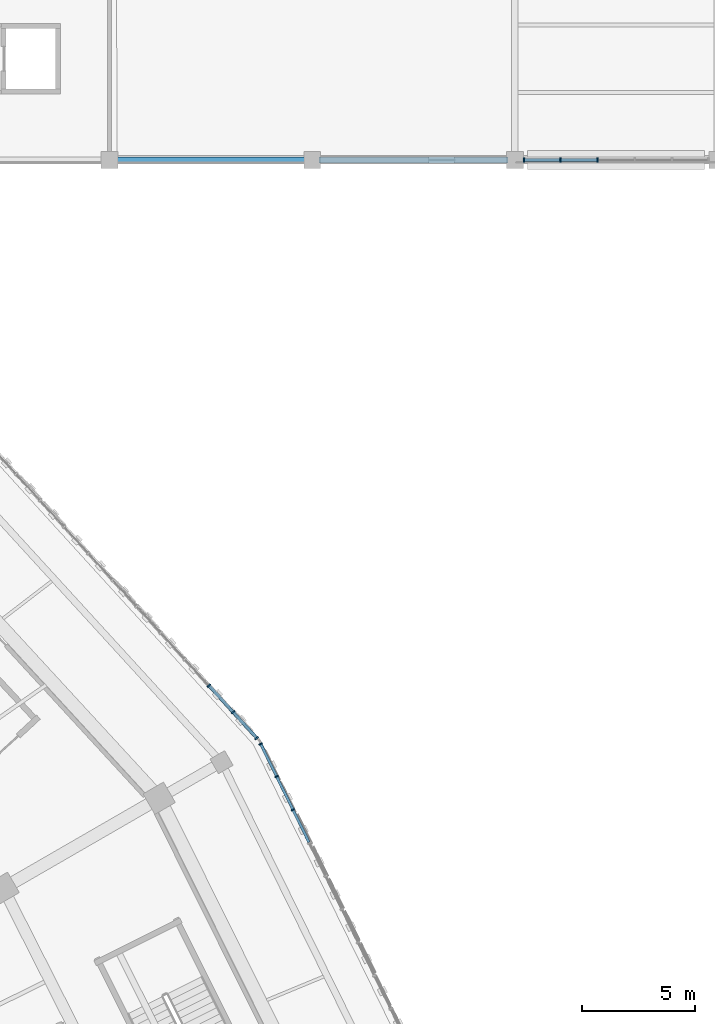
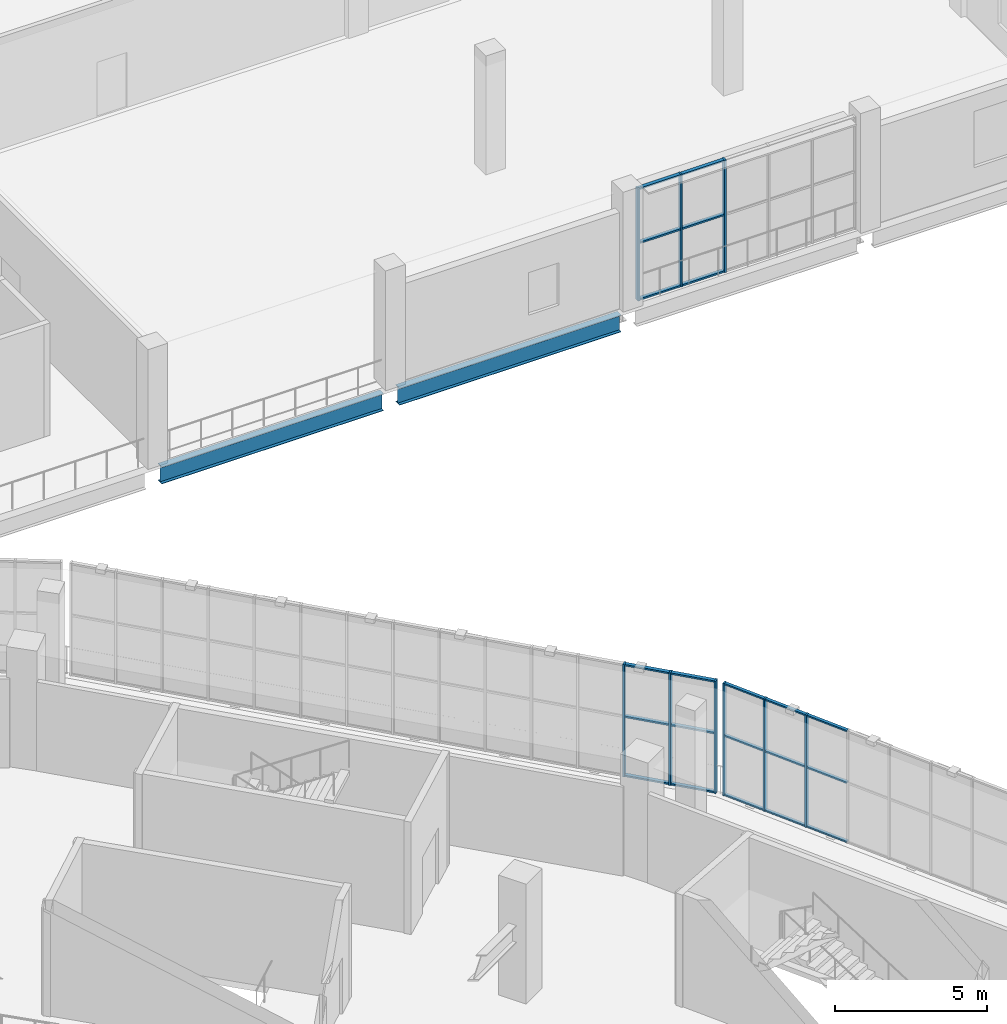
# One storey, part 71 of 179: 30 members, 2 beams, 3 elements without a shape of their own.
"""IFC4 building model written with IfcOpenShell, lengths in metres."""

from ifc_helpers import new_model, si_unit, direction, frame, origin, origin_2d, place, context, subcontext, project, spatial, rectangle, i_section, extrude, material, material_profile, profile_set, type_object, element, aggregate, save


model = new_model("IFC4")

# Units and contexts
model_context = context("Model", 3, precision=1e-05, world=origin(), true_north=direction((0.0, 1.0)))
body_context = subcontext(model_context, "Body", "Model", "MODEL_VIEW")
ifc_project = project(units=[si_unit("LENGTHUNIT", "METRE"), si_unit("AREAUNIT", "SQUARE_METRE"), si_unit("VOLUMEUNIT", "CUBIC_METRE"), si_unit("PLANEANGLEUNIT", "RADIAN"), si_unit("MASSUNIT", "GRAM", prefix="KILO")], contexts=[model_context])

# Site, building, storey
site_placement = place(None, origin())
site = spatial("IfcSite", under=ifc_project, at=site_placement, CompositionType="ELEMENT")
building_placement = place(site_placement, origin())
building = spatial("IfcBuilding", under=site, at=building_placement, Name="Zevraka Park Crest Stadium", CompositionType="ELEMENT")
storey_placement = place(building_placement, frame((0.0, 0.0, 10.199951171875)))
storey = spatial("IfcBuildingStorey", under=building, at=storey_placement, Name="L02", CompositionType="ELEMENT", Elevation=10.199951171875)

# Beams
ifc_material_1 = material(Name="Steel S355", Category="steel")
ifc_material_profile_1 = material_profile(ifc_material_1, i_section(OverallWidth=0.253662109375, OverallDepth=0.68359375, WebThickness=0.012451171875, FlangeThickness=0.01904296875, at=origin_2d()), Name="UKB 686x254x140")
ifc_profile_set_1 = profile_set([ifc_material_profile_1], Name="Steel S355")
beam_type = type_object("IfcBeamType", Name="BG05", PredefinedType="BEAM", material=ifc_profile_set_1)
for number, where, z_axis, x_axis, name in (
    (1, (188.300048828125, 158.0, -0.629638671875), (1.0, 0.0, 0.0), (0.0, 1.0, 0.0), "Wing Girder BG05 L02-2122/T"),
    (2, (197.300048828125, 158.0, -0.629638671875), (1.0, 0.0, 0.0), (0.0, 1.0, 0.0), "Wing Girder BG05 L02-2223/T"),
):
    element("IfcBeam", number, at=place(storey_placement, frame(where, z_axis=z_axis, x_axis=x_axis)), inside=storey, type_object=beam_type, Name=name, PredefinedType="BEAM", context=body_context, shape_type="SweptSolid", body=[
        extrude(i_section(OverallWidth=0.253662109375, OverallDepth=0.68359375, WebThickness=0.012451171875, FlangeThickness=0.01904296875, at=origin_2d()), origin(), (0.0, 0.0, 1.0), 8.39990234375),
    ])

# Curtain wall, members
ifc_material_2 = material(Name="Anodised architectural aluminium and laminated safety glass", Category="aluminium")
curtain_wall_type_1 = type_object("IfcCurtainWallType", Name="CW07", PredefinedType="NOTDEFINED", material=ifc_material_2)
curtain_wall_1_placement = place(storey_placement, origin())
curtain_wall_1 = element("IfcCurtainWall", 3, at=curtain_wall_1_placement, inside=storey, type_object=curtain_wall_type_1, Name="Unitised Ring Curtain Wall CW07 L02-01", PredefinedType="NOTDEFINED")
ifc_material_3 = material(Name="Anodised architectural aluminium", Category="aluminium")
ifc_material_profile_2 = material_profile(ifc_material_3, rectangle(XDim=0.159912109375, YDim=0.06005859375, at=origin_2d()), Name="ALU MULLION 160x60")
ifc_profile_set_2 = profile_set([ifc_material_profile_2], Name="Anodised architectural aluminium")
member_type_1 = type_object("IfcMemberType", Name="CM01", PredefinedType="MULLION", material=ifc_profile_set_2)
member_1_placement = place(storey_placement, frame((196.143798828125, 129.140625, 0.0), z_axis=(0.0, 0.0, 1.0), x_axis=(-0.897496768201, -0.441021032455, 0.0)))
member_1 = element("IfcMember", 4, at=member_1_placement, type_object=member_type_1, Name="CW07 mullion 12", PredefinedType="MULLION", context=body_context, shape_type="SweptSolid", body=[
    extrude(rectangle(XDim=0.159912109375, YDim=0.06005859375, at=origin_2d()), origin(), (0.0, 0.0, 1.0), 4.5),
])
member_2_placement = place(storey_placement, frame((195.41943359375, 130.61474609375, 0.0), z_axis=(0.0, 0.0, 1.0), x_axis=(-0.897496768201, -0.441021032455, 0.0)))
member_2 = element("IfcMember", 5, at=member_2_placement, type_object=member_type_1, Name="CW07 mullion 13", PredefinedType="MULLION", context=body_context, shape_type="SweptSolid", body=[
    extrude(rectangle(XDim=0.159912109375, YDim=0.06005859375, at=origin_2d()), origin(), (0.0, 0.0, 1.0), 4.5),
])
member_3_placement = place(storey_placement, frame((194.708251953125, 132.06201171875, 0.0), z_axis=(0.0, 0.0, 1.0), x_axis=(-0.897496768201, -0.441021032455, 0.0)))
member_3 = element("IfcMember", 6, at=member_3_placement, type_object=member_type_1, Name="CW07 mullion 14", PredefinedType="MULLION", context=body_context, shape_type="SweptSolid", body=[
    extrude(rectangle(XDim=0.159912109375, YDim=0.06005859375, at=origin_2d()), origin(), (0.0, 0.0, 1.0), 4.5),
])

ifc_material_4 = material(Name="Anodised architectural aluminium and laminated safety glass", Category="aluminium")
curtain_wall_type_2 = type_object("IfcCurtainWallType", Name="CW08", PredefinedType="NOTDEFINED", material=ifc_material_4)
curtain_wall_2_placement = place(storey_placement, origin())
curtain_wall_2 = element("IfcCurtainWall", 7, at=curtain_wall_2_placement, inside=storey, type_object=curtain_wall_type_2, Name="Unitised Ring Curtain Wall CW08 L02-02", PredefinedType="NOTDEFINED")
ifc_material_5 = material(Name="Anodised architectural aluminium", Category="aluminium")
ifc_material_profile_3 = material_profile(ifc_material_5, rectangle(XDim=0.179931640625, YDim=0.06494140625, at=origin_2d()), Name="ALU MULLION 180x65")
ifc_profile_set_3 = profile_set([ifc_material_profile_3], Name="Anodised architectural aluminium")
member_type_2 = type_object("IfcMemberType", Name="CM02", PredefinedType="MULLION", material=ifc_profile_set_3)
member_4_placement = place(storey_placement, frame((194.530029296875, 132.323974609375, 0.0), z_axis=(0.0, 0.0, 1.0), x_axis=(-0.739496877097, -0.673159987494, 0.0)))
member_4 = element("IfcMember", 8, at=member_4_placement, type_object=member_type_2, Name="CW08 mullion 1", PredefinedType="MULLION", context=body_context, shape_type="SweptSolid", body=[
    extrude(rectangle(XDim=0.179931640625, YDim=0.06494140625, at=origin_2d()), origin(), (0.0, 0.0, 1.0), 4.5),
])
member_5_placement = place(storey_placement, frame((193.4814453125, 133.47607421875, 0.0), z_axis=(0.0, 0.0, 1.0), x_axis=(-0.739496877097, -0.673159987494, 0.0)))
member_5 = element("IfcMember", 9, at=member_5_placement, type_object=member_type_2, Name="CW08 mullion 2", PredefinedType="MULLION", context=body_context, shape_type="SweptSolid", body=[
    extrude(rectangle(XDim=0.179931640625, YDim=0.06494140625, at=origin_2d()), origin(), (0.0, 0.0, 1.0), 4.5),
])
member_6_placement = place(storey_placement, frame((192.410888671875, 134.652099609375, 0.0), z_axis=(0.0, 0.0, 1.0), x_axis=(-0.739496877097, -0.673159987494, 0.0)))
member_6 = element("IfcMember", 10, at=member_6_placement, type_object=member_type_2, Name="CW08 mullion 3", PredefinedType="MULLION", context=body_context, shape_type="SweptSolid", body=[
    extrude(rectangle(XDim=0.179931640625, YDim=0.06494140625, at=origin_2d()), origin(), (0.0, 0.0, 1.0), 4.5),
])

ifc_material_6 = material(Name="Anodised architectural aluminium and laminated safety glass", Category="aluminium")
curtain_wall_type_3 = type_object("IfcCurtainWallType", Name="CW29", PredefinedType="NOTDEFINED", material=ifc_material_6)
curtain_wall_3_placement = place(storey_placement, origin())
curtain_wall_3 = element("IfcCurtainWall", 11, at=curtain_wall_3_placement, inside=storey, type_object=curtain_wall_type_3, Name="Wing Curtain Wall CW29 L02-NGATE-S-2", PredefinedType="NOTDEFINED")
member_7_placement = place(storey_placement, frame((209.673095703125, 158.0, 0.0), z_axis=(0.0, 0.0, 1.0), x_axis=(0.0, -1.0, 0.0)))
member_7 = element("IfcMember", 12, at=member_7_placement, type_object=member_type_2, Name="CW29 mullion 4", PredefinedType="MULLION", context=body_context, shape_type="SweptSolid", body=[
    extrude(rectangle(XDim=0.179931640625, YDim=0.06494140625, at=origin_2d()), origin(), (0.0, 0.0, 1.0), 4.5),
])
member_8_placement = place(storey_placement, frame((208.01904296875, 158.0, 0.0), z_axis=(0.0, 0.0, 1.0), x_axis=(0.0, -1.0, 0.0)))
member_8 = element("IfcMember", 13, at=member_8_placement, type_object=member_type_2, Name="CW29 mullion 5", PredefinedType="MULLION", context=body_context, shape_type="SweptSolid", body=[
    extrude(rectangle(XDim=0.179931640625, YDim=0.06494140625, at=origin_2d()), origin(), (0.0, 0.0, 1.0), 4.5),
])
member_9_placement = place(storey_placement, frame((206.3974609375, 158.0, 0.0), z_axis=(0.0, 0.0, 1.0), x_axis=(0.0, -1.0, 0.0)))
member_9 = element("IfcMember", 14, at=member_9_placement, type_object=member_type_2, Name="CW29 mullion 6", PredefinedType="MULLION", context=body_context, shape_type="SweptSolid", body=[
    extrude(rectangle(XDim=0.179931640625, YDim=0.06494140625, at=origin_2d()), origin(), (0.0, 0.0, 1.0), 4.5),
])

# Member
ifc_material_7 = material(Name="Anodised architectural aluminium", Category="aluminium")
ifc_material_profile_4 = material_profile(ifc_material_7, rectangle(XDim=0.1201171875, YDim=0.06005859375, at=origin_2d()), Name="ALU TRANSOM 120x60")
ifc_profile_set_4 = profile_set([ifc_material_profile_4], Name="Anodised architectural aluminium")
member_type_3 = type_object("IfcMemberType", Name="CT01", PredefinedType="USERDEFINED", material=ifc_profile_set_4)
member_10_placement = place(storey_placement, frame((196.85498046875, 127.693359375, 0.030029296875), z_axis=(-0.441032508924, 0.897491128687, 0.0), x_axis=(-0.897491128687, -0.441032508924, 0.0)))
member_10 = element("IfcMember", 15, at=member_10_placement, type_object=member_type_3, Name="CW07 transom 11.1", ObjectType="TRANSOM", PredefinedType="USERDEFINED", context=body_context, shape_type="SweptSolid", body=[
    extrude(rectangle(XDim=0.1201171875, YDim=0.06005859375, at=origin_2d()), origin(), (0.0, 0.0, 1.0), 1.582763671875),
])

member_11_placement = place(storey_placement, frame((196.85498046875, 127.693359375, 2.400146484375), z_axis=(-0.441032508924, 0.897491128687, 0.0), x_axis=(-0.897491128687, -0.441032508924, 0.0)))
member_11 = element("IfcMember", 16, at=member_11_placement, type_object=member_type_3, Name="CW07 transom 11.2", ObjectType="TRANSOM", PredefinedType="USERDEFINED", context=body_context, shape_type="SweptSolid", body=[
    extrude(rectangle(XDim=0.1201171875, YDim=0.06005859375, at=origin_2d()), origin(), (0.0, 0.0, 1.0), 1.582763671875),
])

member_12_placement = place(storey_placement, frame((196.85498046875, 127.693359375, 4.469970703125), z_axis=(-0.441032508924, 0.897491128687, 0.0), x_axis=(-0.897491128687, -0.441032508924, 0.0)))
member_12 = element("IfcMember", 17, at=member_12_placement, type_object=member_type_3, Name="CW07 transom 11.3", ObjectType="TRANSOM", PredefinedType="USERDEFINED", context=body_context, shape_type="SweptSolid", body=[
    extrude(rectangle(XDim=0.1201171875, YDim=0.06005859375, at=origin_2d()), origin(), (0.0, 0.0, 1.0), 1.582763671875),
])

member_13_placement = place(storey_placement, frame((196.130615234375, 129.167724609375, 0.030029296875), z_axis=(-0.441093576416, 0.897461117177, 0.0), x_axis=(-0.897461117177, -0.441093576416, 0.0)))
member_13 = element("IfcMember", 18, at=member_13_placement, type_object=member_type_3, Name="CW07 transom 12.1", ObjectType="TRANSOM", PredefinedType="USERDEFINED", context=body_context, shape_type="SweptSolid", body=[
    extrude(rectangle(XDim=0.1201171875, YDim=0.06005859375, at=origin_2d()), origin(), (0.0, 0.0, 1.0), 1.58251953125),
])

member_14_placement = place(storey_placement, frame((196.130615234375, 129.167724609375, 2.400146484375), z_axis=(-0.441093576416, 0.897461117177, 0.0), x_axis=(-0.897461117177, -0.441093576416, 0.0)))
member_14 = element("IfcMember", 19, at=member_14_placement, type_object=member_type_3, Name="CW07 transom 12.2", ObjectType="TRANSOM", PredefinedType="USERDEFINED", context=body_context, shape_type="SweptSolid", body=[
    extrude(rectangle(XDim=0.1201171875, YDim=0.06005859375, at=origin_2d()), origin(), (0.0, 0.0, 1.0), 1.58251953125),
])

member_15_placement = place(storey_placement, frame((196.130615234375, 129.167724609375, 4.469970703125), z_axis=(-0.441093576416, 0.897461117177, 0.0), x_axis=(-0.897461117177, -0.441093576416, 0.0)))
member_15 = element("IfcMember", 20, at=member_15_placement, type_object=member_type_3, Name="CW07 transom 12.3", ObjectType="TRANSOM", PredefinedType="USERDEFINED", context=body_context, shape_type="SweptSolid", body=[
    extrude(rectangle(XDim=0.1201171875, YDim=0.06005859375, at=origin_2d()), origin(), (0.0, 0.0, 1.0), 1.58251953125),
])

member_16_placement = place(storey_placement, frame((195.40625, 130.641845703125, 0.030029296875), z_axis=(-0.441101676323, 0.897457136105, 0.0), x_axis=(-0.897457136105, -0.441101676323, 0.0)))
member_16 = element("IfcMember", 21, at=member_16_placement, type_object=member_type_3, Name="CW07 transom 13.1", ObjectType="TRANSOM", PredefinedType="USERDEFINED", context=body_context, shape_type="SweptSolid", body=[
    extrude(rectangle(XDim=0.1201171875, YDim=0.06005859375, at=origin_2d()), origin(), (0.0, 0.0, 1.0), 1.552490234375),
])

member_17_placement = place(storey_placement, frame((195.40625, 130.641845703125, 2.400146484375), z_axis=(-0.441101676323, 0.897457136105, 0.0), x_axis=(-0.897457136105, -0.441101676323, 0.0)))
member_17 = element("IfcMember", 22, at=member_17_placement, type_object=member_type_3, Name="CW07 transom 13.2", ObjectType="TRANSOM", PredefinedType="USERDEFINED", context=body_context, shape_type="SweptSolid", body=[
    extrude(rectangle(XDim=0.1201171875, YDim=0.06005859375, at=origin_2d()), origin(), (0.0, 0.0, 1.0), 1.552490234375),
])

member_18_placement = place(storey_placement, frame((195.40625, 130.641845703125, 4.469970703125), z_axis=(-0.441101676323, 0.897457136105, 0.0), x_axis=(-0.897457136105, -0.441101676323, 0.0)))
member_18 = element("IfcMember", 23, at=member_18_placement, type_object=member_type_3, Name="CW07 transom 13.3", ObjectType="TRANSOM", PredefinedType="USERDEFINED", context=body_context, shape_type="SweptSolid", body=[
    extrude(rectangle(XDim=0.1201171875, YDim=0.06005859375, at=origin_2d()), origin(), (0.0, 0.0, 1.0), 1.552490234375),
])

aggregate(curtain_wall_1, [member_1, member_2, member_3, member_10, member_11, member_12, member_13, member_14, member_15, member_16, member_17, member_18])

ifc_material_8 = material(Name="Anodised architectural aluminium", Category="aluminium")
ifc_material_profile_5 = material_profile(ifc_material_8, rectangle(XDim=0.139892578125, YDim=0.06494140625, at=origin_2d()), Name="ALU TRANSOM 140x65")
ifc_profile_set_5 = profile_set([ifc_material_profile_5], Name="Anodised architectural aluminium")
member_type_4 = type_object("IfcMemberType", Name="CT02", PredefinedType="USERDEFINED", material=ifc_profile_set_5)
member_19_placement = place(storey_placement, frame((194.50830078125, 132.34814453125, 0.032470703125), z_axis=(-0.673128504906, 0.739525534301, 0.0), x_axis=(-0.739525534301, -0.673128504906, 0.0)))
member_19 = element("IfcMember", 24, at=member_19_placement, type_object=member_type_4, Name="CW08 transom 1.1", ObjectType="TRANSOM", PredefinedType="USERDEFINED", context=body_context, shape_type="SweptSolid", body=[
    extrude(rectangle(XDim=0.139892578125, YDim=0.06494140625, at=origin_2d()), origin(), (0.0, 0.0, 1.0), 1.492919921875),
])

member_20_placement = place(storey_placement, frame((194.50830078125, 132.34814453125, 2.400146484375), z_axis=(-0.673128504906, 0.739525534301, 0.0), x_axis=(-0.739525534301, -0.673128504906, 0.0)))
member_20 = element("IfcMember", 25, at=member_20_placement, type_object=member_type_4, Name="CW08 transom 1.2", ObjectType="TRANSOM", PredefinedType="USERDEFINED", context=body_context, shape_type="SweptSolid", body=[
    extrude(rectangle(XDim=0.139892578125, YDim=0.06494140625, at=origin_2d()), origin(), (0.0, 0.0, 1.0), 1.492919921875),
])

member_21_placement = place(storey_placement, frame((194.50830078125, 132.34814453125, 4.467529296875), z_axis=(-0.673128504906, 0.739525534301, 0.0), x_axis=(-0.739525534301, -0.673128504906, 0.0)))
member_21 = element("IfcMember", 26, at=member_21_placement, type_object=member_type_4, Name="CW08 transom 1.3", ObjectType="TRANSOM", PredefinedType="USERDEFINED", context=body_context, shape_type="SweptSolid", body=[
    extrude(rectangle(XDim=0.139892578125, YDim=0.06494140625, at=origin_2d()), origin(), (0.0, 0.0, 1.0), 1.492919921875),
])

member_22_placement = place(storey_placement, frame((193.45947265625, 133.5, 0.032470703125), z_axis=(-0.673118749814, 0.739534413431, 0.0), x_axis=(-0.739534413431, -0.673118749814, 0.0)))
member_22 = element("IfcMember", 27, at=member_22_placement, type_object=member_type_4, Name="CW08 transom 2.1", ObjectType="TRANSOM", PredefinedType="USERDEFINED", context=body_context, shape_type="SweptSolid", body=[
    extrude(rectangle(XDim=0.139892578125, YDim=0.06494140625, at=origin_2d()), origin(), (0.0, 0.0, 1.0), 1.525634765625),
])

member_23_placement = place(storey_placement, frame((193.45947265625, 133.5, 2.400146484375), z_axis=(-0.673118749814, 0.739534413431, 0.0), x_axis=(-0.739534413431, -0.673118749814, 0.0)))
member_23 = element("IfcMember", 28, at=member_23_placement, type_object=member_type_4, Name="CW08 transom 2.2", ObjectType="TRANSOM", PredefinedType="USERDEFINED", context=body_context, shape_type="SweptSolid", body=[
    extrude(rectangle(XDim=0.139892578125, YDim=0.06494140625, at=origin_2d()), origin(), (0.0, 0.0, 1.0), 1.525634765625),
])

member_24_placement = place(storey_placement, frame((193.45947265625, 133.5, 4.467529296875), z_axis=(-0.673118749814, 0.739534413431, 0.0), x_axis=(-0.739534413431, -0.673118749814, 0.0)))
member_24 = element("IfcMember", 29, at=member_24_placement, type_object=member_type_4, Name="CW08 transom 2.3", ObjectType="TRANSOM", PredefinedType="USERDEFINED", context=body_context, shape_type="SweptSolid", body=[
    extrude(rectangle(XDim=0.139892578125, YDim=0.06494140625, at=origin_2d()), origin(), (0.0, 0.0, 1.0), 1.525634765625),
])

aggregate(curtain_wall_2, [member_4, member_5, member_6, member_19, member_20, member_21, member_22, member_23, member_24])

member_25_placement = place(storey_placement, frame((209.640380859375, 158.0, 0.032470703125), z_axis=(-1.0, 0.0, 0.0), x_axis=(0.0, -1.0, 0.0)))
member_25 = element("IfcMember", 30, at=member_25_placement, type_object=member_type_4, Name="CW29 transom 4.1", ObjectType="TRANSOM", PredefinedType="USERDEFINED", context=body_context, shape_type="SweptSolid", body=[
    extrude(rectangle(XDim=0.139892578125, YDim=0.06494140625, at=origin_2d()), origin(), (0.0, 0.0, 1.0), 1.5888671875),
])

member_26_placement = place(storey_placement, frame((209.640380859375, 158.0, 2.300048828125), z_axis=(-1.0, 0.0, 0.0), x_axis=(0.0, -1.0, 0.0)))
member_26 = element("IfcMember", 31, at=member_26_placement, type_object=member_type_4, Name="CW29 transom 4.2", ObjectType="TRANSOM", PredefinedType="USERDEFINED", context=body_context, shape_type="SweptSolid", body=[
    extrude(rectangle(XDim=0.139892578125, YDim=0.06494140625, at=origin_2d()), origin(), (0.0, 0.0, 1.0), 1.5888671875),
])

member_27_placement = place(storey_placement, frame((209.640380859375, 158.0, 4.467529296875), z_axis=(-1.0, 0.0, 0.0), x_axis=(0.0, -1.0, 0.0)))
member_27 = element("IfcMember", 32, at=member_27_placement, type_object=member_type_4, Name="CW29 transom 4.3", ObjectType="TRANSOM", PredefinedType="USERDEFINED", context=body_context, shape_type="SweptSolid", body=[
    extrude(rectangle(XDim=0.139892578125, YDim=0.06494140625, at=origin_2d()), origin(), (0.0, 0.0, 1.0), 1.5888671875),
])

member_28_placement = place(storey_placement, frame((207.986572265625, 158.0, 0.032470703125), z_axis=(-1.0, 0.0, 0.0), x_axis=(0.0, -1.0, 0.0)))
member_28 = element("IfcMember", 33, at=member_28_placement, type_object=member_type_4, Name="CW29 transom 5.1", ObjectType="TRANSOM", PredefinedType="USERDEFINED", context=body_context, shape_type="SweptSolid", body=[
    extrude(rectangle(XDim=0.139892578125, YDim=0.06494140625, at=origin_2d()), origin(), (0.0, 0.0, 1.0), 1.556640625),
])

member_29_placement = place(storey_placement, frame((207.986572265625, 158.0, 2.300048828125), z_axis=(-1.0, 0.0, 0.0), x_axis=(0.0, -1.0, 0.0)))
member_29 = element("IfcMember", 34, at=member_29_placement, type_object=member_type_4, Name="CW29 transom 5.2", ObjectType="TRANSOM", PredefinedType="USERDEFINED", context=body_context, shape_type="SweptSolid", body=[
    extrude(rectangle(XDim=0.139892578125, YDim=0.06494140625, at=origin_2d()), origin(), (0.0, 0.0, 1.0), 1.556640625),
])

member_30_placement = place(storey_placement, frame((207.986572265625, 158.0, 4.467529296875), z_axis=(-1.0, 0.0, 0.0), x_axis=(0.0, -1.0, 0.0)))
member_30 = element("IfcMember", 35, at=member_30_placement, type_object=member_type_4, Name="CW29 transom 5.3", ObjectType="TRANSOM", PredefinedType="USERDEFINED", context=body_context, shape_type="SweptSolid", body=[
    extrude(rectangle(XDim=0.139892578125, YDim=0.06494140625, at=origin_2d()), origin(), (0.0, 0.0, 1.0), 1.556640625),
])

aggregate(curtain_wall_3, [member_7, member_8, member_9, member_25, member_26, member_27, member_28, member_29, member_30])

save(model, "model.ifc")
